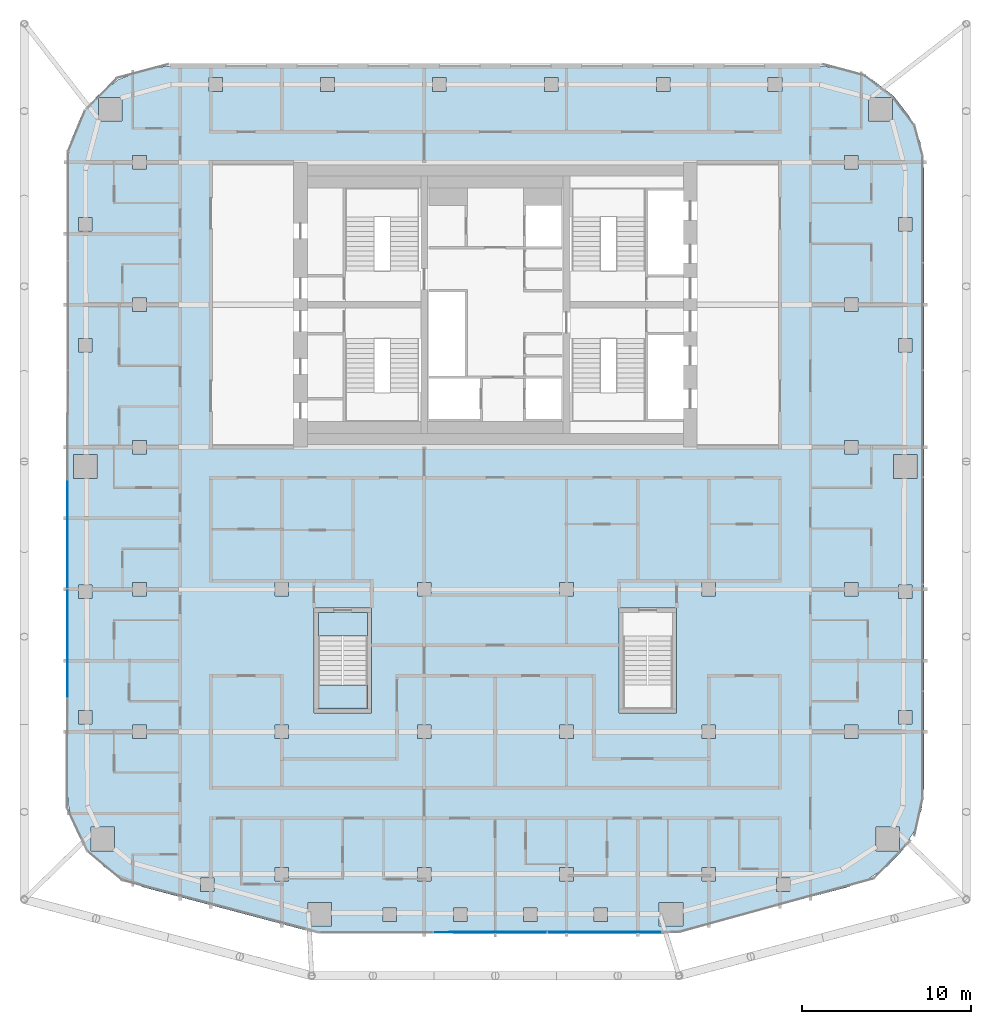
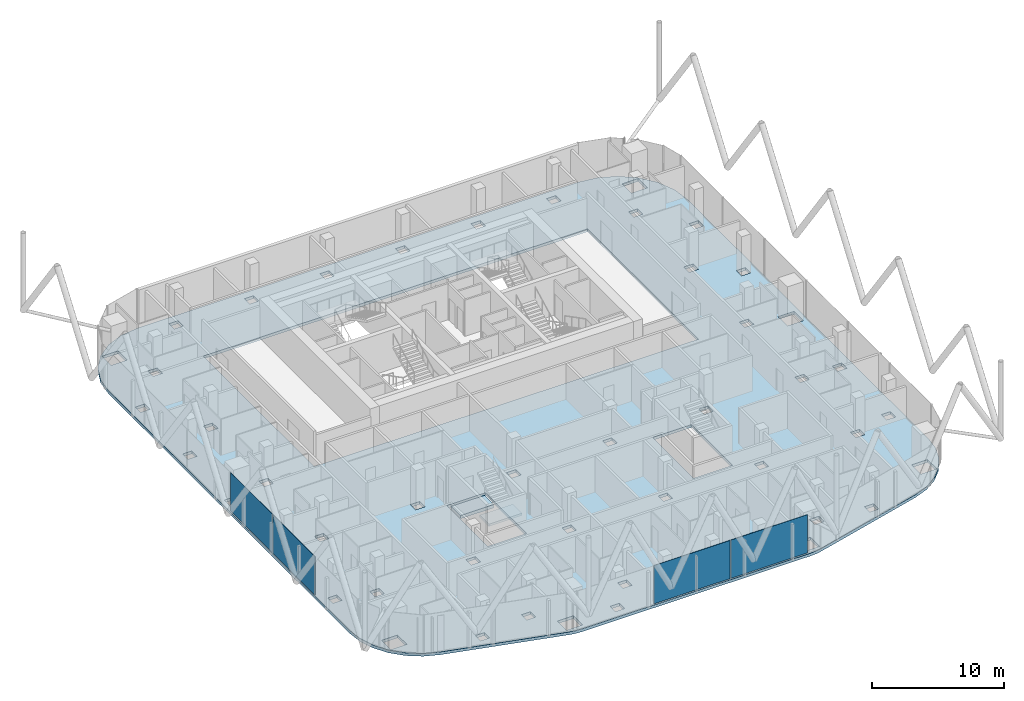
# One storey, part 15 of 28: 4 plates, 3 slabs, 3 elements without a shape of their own.
"""IFC4 building model written with IfcOpenShell, lengths in metres."""

from ifc_helpers import new_model, si_unit, direction, frame, origin, origin_2d, place, context, subcontext, project, spatial, polyline, rectangle, outline, extrude, material, layer, layer_set, type_object, element, aggregate, save


model = new_model("IFC4")

# Units and contexts
model_context = context("Model", 3, precision=1e-05, world=origin(), true_north=direction((0.0, 1.0)))
body_context = subcontext(model_context, "Body", "Model", "MODEL_VIEW")
ifc_project = project(units=[si_unit("LENGTHUNIT", "METRE"), si_unit("AREAUNIT", "SQUARE_METRE"), si_unit("VOLUMEUNIT", "CUBIC_METRE"), si_unit("PLANEANGLEUNIT", "RADIAN"), si_unit("MASSUNIT", "GRAM", prefix="KILO")], contexts=[model_context])

# Site, building, storey
site_placement = place(None, origin())
site = spatial("IfcSite", under=ifc_project, at=site_placement, CompositionType="ELEMENT")
building_placement = place(site_placement, origin())
building = spatial("IfcBuilding", under=site, at=building_placement, Name="Marenta Gate Hotel Tower", CompositionType="ELEMENT")
storey_placement = place(building_placement, frame((0.0, 0.0, 227.300048828125)))
storey = spatial("IfcBuildingStorey", under=building, at=storey_placement, Name="L53", CompositionType="ELEMENT", Elevation=227.300048828125)

# Slab
ifc_material_1 = material(Name="Concrete C35", Category="concrete")
ifc_layer_1 = layer(ifc_material_1, 0.260009765625)
ifc_layer_set_1 = layer_set([ifc_layer_1], Name="Concrete C35")
slab_type_1 = type_object("IfcSlabType", Name="Concrete floor slab 260", PredefinedType="FLOOR", material=ifc_layer_set_1)
slab_1_placement = place(storey_placement, frame((0.0, 0.0, -0.260009765625)))
element("IfcSlab", 1, at=slab_1_placement, inside=storey, type_object=slab_type_1, Name="L53-SL-1", PredefinedType="FLOOR", context=body_context, shape_type="SweptSolid", body=[
    extrude(outline(polyline([(-23.11376953125, -24.76416015625), (-24.035400390625, -23.803955078125), (-24.72705078125, -22.6669921875), (-25.155517578125, -21.4072265625), (-25.300048828125, -20.08984375), (-25.300048828125, 16.406494140625), (-25.093017578125, 17.97900390625), (-24.483642578125, 19.450439453125), (-23.513916015625, 20.7138671875), (-22.25048828125, 21.68359375), (-20.779052734375, 22.29296875), (-19.20654296875, 22.5), (19.20654296875, 22.5), (20.779052734375, 22.29296875), (22.25048828125, 21.68359375), (23.513916015625, 20.7138671875), (24.483642578125, 19.450439453125), (25.093017578125, 17.97900390625), (25.300048828125, 16.406494140625), (25.300048828125, -20.08984375), (25.155517578125, -21.4072265625), (24.72705078125, -22.6669921875), (24.035400390625, -23.803955078125), (23.11376953125, -24.76416015625), (22.005859375, -25.501220703125), (20.76953125, -25.978759765625), (11.026611328125, -28.563720703125), (10.508544921875, -28.665771484375), (9.981689453125, -28.699951171875), (-9.981689453125, -28.699951171875), (-10.508544921875, -28.665771484375), (-11.026611328125, -28.563720703125), (-20.76953125, -25.978759765625), (-22.005859375, -25.501220703125), (-23.11376953125, -24.76416015625)]), holes=[polyline([(-16.800048828125, 0.0), (16.800048828125, 0.0), (16.800048828125, 16.800048828125), (-16.800048828125, 16.800048828125), (-16.800048828125, 0.0)]), polyline([(-16.606689453125, -25.439208984375), (-17.40673828125, -25.439208984375), (-17.40673828125, -26.239013671875), (-16.606689453125, -26.239013671875), (-16.606689453125, -25.439208984375)]), polyline([(-12.199951171875, -25.60009765625), (-12.199951171875, -24.800048828125), (-13.0, -24.800048828125), (-13.0, -25.60009765625), (-12.199951171875, -25.60009765625)]), polyline([(-22.462890625, -23.8330078125), (-22.462890625, -22.43310546875), (-23.863037109375, -22.43310546875), (-23.863037109375, -23.8330078125), (-22.462890625, -23.8330078125)]), polyline([(-12.199951171875, -16.39990234375), (-13.0, -16.39990234375), (-13.0, -17.199951171875), (-12.199951171875, -17.199951171875), (-12.199951171875, -16.39990234375)]), polyline([(-20.60009765625, -17.199951171875), (-20.60009765625, -16.39990234375), (-21.39990234375, -16.39990234375), (-21.39990234375, -17.199951171875), (-20.60009765625, -17.199951171875)]), polyline([(-23.800048828125, -16.351806640625), (-23.800048828125, -15.552001953125), (-24.60009765625, -15.552001953125), (-24.60009765625, -16.351806640625), (-23.800048828125, -16.351806640625)]), polyline([(-23.800048828125, -8.15087890625), (-24.60009765625, -8.15087890625), (-24.60009765625, -8.950927734375), (-23.800048828125, -8.950927734375), (-23.800048828125, -8.15087890625)]), polyline([(-12.199951171875, -8.800048828125), (-12.199951171875, -8.0), (-13.0, -8.0), (-13.0, -8.800048828125), (-12.199951171875, -8.800048828125)]), polyline([(-20.60009765625, -8.800048828125), (-20.60009765625, -8.0), (-21.39990234375, -8.0), (-21.39990234375, -8.800048828125), (-20.60009765625, -8.800048828125)]), polyline([(-23.5, -0.449951171875), (-24.89990234375, -0.449951171875), (-24.89990234375, -1.85009765625), (-23.5, -1.85009765625), (-23.5, -0.449951171875)]), polyline([(-20.60009765625, -0.39990234375), (-20.60009765625, 0.39990234375), (-21.39990234375, 0.39990234375), (-21.39990234375, -0.39990234375), (-20.60009765625, -0.39990234375)]), polyline([(-23.800048828125, 5.603271484375), (-23.800048828125, 6.4033203125), (-24.60009765625, 6.4033203125), (-24.60009765625, 5.603271484375), (-23.800048828125, 5.603271484375)]), polyline([(-20.60009765625, 8.800048828125), (-21.39990234375, 8.800048828125), (-21.39990234375, 8.0), (-20.60009765625, 8.0), (-20.60009765625, 8.800048828125)]), polyline([(-23.800048828125, 12.75634765625), (-23.800048828125, 13.556396484375), (-24.60009765625, 13.556396484375), (-24.60009765625, 12.75634765625), (-23.800048828125, 12.75634765625)]), polyline([(-20.60009765625, 16.39990234375), (-20.60009765625, 17.199951171875), (-21.39990234375, 17.199951171875), (-21.39990234375, 16.39990234375), (-20.60009765625, 16.39990234375)]), polyline([(-22.035400390625, 20.635498046875), (-23.435546875, 20.635498046875), (-23.435546875, 19.235595703125), (-22.035400390625, 19.235595703125), (-22.035400390625, 20.635498046875)]), polyline([(-16.10693359375, 21.0), (-16.10693359375, 21.800048828125), (-16.906982421875, 21.800048828125), (-16.906982421875, 21.0), (-16.10693359375, 21.0)]), polyline([(-5.820068359375, -28.0), (-5.820068359375, -27.199951171875), (-6.6201171875, -27.199951171875), (-6.6201171875, -28.0), (-5.820068359375, -28.0)]), polyline([(6.6201171875, -27.199951171875), (5.820068359375, -27.199951171875), (5.820068359375, -28.0), (6.6201171875, -28.0), (6.6201171875, -27.199951171875)]), polyline([(2.473388671875, -28.0), (2.473388671875, -27.199951171875), (1.67333984375, -27.199951171875), (1.67333984375, -28.0), (2.473388671875, -28.0)]), polyline([(-1.67333984375, -28.0), (-1.67333984375, -27.199951171875), (-2.473388671875, -27.199951171875), (-2.473388671875, -28.0), (-1.67333984375, -28.0)]), polyline([(-9.666259765625, -28.27490234375), (-9.666259765625, -26.874755859375), (-11.06640625, -26.874755859375), (-11.06640625, -28.27490234375), (-9.666259765625, -28.27490234375)]), polyline([(11.06640625, -28.27490234375), (11.06640625, -26.874755859375), (9.666259765625, -26.874755859375), (9.666259765625, -28.27490234375), (11.06640625, -28.27490234375)]), polyline([(13.0, -25.60009765625), (13.0, -24.800048828125), (12.199951171875, -24.800048828125), (12.199951171875, -25.60009765625), (13.0, -25.60009765625)]), polyline([(4.60009765625, -25.60009765625), (4.60009765625, -24.800048828125), (3.800048828125, -24.800048828125), (3.800048828125, -25.60009765625), (4.60009765625, -25.60009765625)]), polyline([(-3.800048828125, -24.800048828125), (-4.60009765625, -24.800048828125), (-4.60009765625, -25.60009765625), (-3.800048828125, -25.60009765625), (-3.800048828125, -24.800048828125)]), polyline([(4.60009765625, -17.199951171875), (4.60009765625, -16.39990234375), (3.800048828125, -16.39990234375), (3.800048828125, -17.199951171875), (4.60009765625, -17.199951171875)]), polyline([(-3.800048828125, -17.199951171875), (-3.800048828125, -16.39990234375), (-4.60009765625, -16.39990234375), (-4.60009765625, -17.199951171875), (-3.800048828125, -17.199951171875)]), polyline([(4.60009765625, -8.0), (3.800048828125, -8.0), (3.800048828125, -8.800048828125), (4.60009765625, -8.800048828125), (4.60009765625, -8.0)]), polyline([(-3.800048828125, -8.800048828125), (-3.800048828125, -8.0), (-4.60009765625, -8.0), (-4.60009765625, -8.800048828125), (-3.800048828125, -8.800048828125)]), polyline([(-2.9013671875, 21.0), (-2.9013671875, 21.800048828125), (-3.701416015625, 21.800048828125), (-3.701416015625, 21.0), (-2.9013671875, 21.0)]), polyline([(3.701416015625, 21.800048828125), (2.9013671875, 21.800048828125), (2.9013671875, 21.0), (3.701416015625, 21.0), (3.701416015625, 21.800048828125)]), polyline([(10.30419921875, 21.0), (10.30419921875, 21.800048828125), (9.504150390625, 21.800048828125), (9.504150390625, 21.0), (10.30419921875, 21.0)]), polyline([(-9.504150390625, 21.0), (-9.504150390625, 21.800048828125), (-10.30419921875, 21.800048828125), (-10.30419921875, 21.0), (-9.504150390625, 21.0)]), polyline([(17.40673828125, -25.439208984375), (16.606689453125, -25.439208984375), (16.606689453125, -26.239013671875), (17.40673828125, -26.239013671875), (17.40673828125, -25.439208984375)]), polyline([(23.863037109375, -23.8330078125), (23.863037109375, -22.43310546875), (22.462890625, -22.43310546875), (22.462890625, -23.8330078125), (23.863037109375, -23.8330078125)]), polyline([(13.0, -17.199951171875), (13.0, -16.39990234375), (12.199951171875, -16.39990234375), (12.199951171875, -17.199951171875), (13.0, -17.199951171875)]), polyline([(21.39990234375, -16.39990234375), (20.60009765625, -16.39990234375), (20.60009765625, -17.199951171875), (21.39990234375, -17.199951171875), (21.39990234375, -16.39990234375)]), polyline([(24.60009765625, -16.351806640625), (24.60009765625, -15.552001953125), (23.800048828125, -15.552001953125), (23.800048828125, -16.351806640625), (24.60009765625, -16.351806640625)]), polyline([(24.60009765625, -8.950927734375), (24.60009765625, -8.15087890625), (23.800048828125, -8.15087890625), (23.800048828125, -8.950927734375), (24.60009765625, -8.950927734375)]), polyline([(13.0, -8.0), (12.199951171875, -8.0), (12.199951171875, -8.800048828125), (13.0, -8.800048828125), (13.0, -8.0)]), polyline([(21.39990234375, -8.800048828125), (21.39990234375, -8.0), (20.60009765625, -8.0), (20.60009765625, -8.800048828125), (21.39990234375, -8.800048828125)]), polyline([(24.89990234375, -1.85009765625), (24.89990234375, -0.449951171875), (23.5, -0.449951171875), (23.5, -1.85009765625), (24.89990234375, -1.85009765625)]), polyline([(21.39990234375, 0.39990234375), (20.60009765625, 0.39990234375), (20.60009765625, -0.39990234375), (21.39990234375, -0.39990234375), (21.39990234375, 0.39990234375)]), polyline([(24.60009765625, 5.603271484375), (24.60009765625, 6.4033203125), (23.800048828125, 6.4033203125), (23.800048828125, 5.603271484375), (24.60009765625, 5.603271484375)]), polyline([(21.39990234375, 8.0), (21.39990234375, 8.800048828125), (20.60009765625, 8.800048828125), (20.60009765625, 8.0), (21.39990234375, 8.0)]), polyline([(24.60009765625, 12.75634765625), (24.60009765625, 13.556396484375), (23.800048828125, 13.556396484375), (23.800048828125, 12.75634765625), (24.60009765625, 12.75634765625)]), polyline([(21.39990234375, 16.39990234375), (21.39990234375, 17.199951171875), (20.60009765625, 17.199951171875), (20.60009765625, 16.39990234375), (21.39990234375, 16.39990234375)]), polyline([(23.435546875, 19.235595703125), (23.435546875, 20.635498046875), (22.035400390625, 20.635498046875), (22.035400390625, 19.235595703125), (23.435546875, 19.235595703125)]), polyline([(16.906982421875, 21.0), (16.906982421875, 21.800048828125), (16.10693359375, 21.800048828125), (16.10693359375, 21.0), (16.906982421875, 21.0)]), polyline([(-7.300048828125, -15.699951171875), (-7.300048828125, -9.5), (-10.699951171875, -9.5), (-10.699951171875, -15.699951171875), (-7.300048828125, -15.699951171875)]), polyline([(10.699951171875, -15.699951171875), (10.699951171875, -9.5), (7.300048828125, -9.5), (7.300048828125, -15.699951171875), (10.699951171875, -15.699951171875)])]), origin(), (0.0, 0.0, 1.0), 0.260009765625),
])

# Curtain wall, plates
ifc_material_2 = material(Name="Tinted insulated glass in bronze anodised frame", Category="glass")
ifc_layer_2 = layer(ifc_material_2, 0.1201171875)
ifc_layer_set_2 = layer_set([ifc_layer_2], Name="Tinted insulated glass in bronze anodised frame")
curtain_wall_type = type_object("IfcCurtainWallType", Name="Tower unitised curtain wall CW1", PredefinedType="NOTDEFINED", material=ifc_layer_set_2)
curtain_wall_1_placement = place(storey_placement, origin())
curtain_wall_1 = element("IfcCurtainWall", 2, at=curtain_wall_1_placement, inside=storey, type_object=curtain_wall_type, Name="CW1 run G04", PredefinedType="NOTDEFINED")
ifc_material_3 = material(Name="Tinted insulated glass", Category="glass")
ifc_layer_3 = layer(ifc_material_3, 0.028076171875)
ifc_layer_set_3 = layer_set([ifc_layer_3], Name="Tinted insulated glass")
plate_type = type_object("IfcPlateType", Name="Glass panel CW1 28 mm tinted insulated unit", PredefinedType="CURTAIN_PANEL", material=ifc_layer_set_3)
plate_1_placement = place(storey_placement, frame((-25.247802734375, -5.143798828125, 0.059814453125), z_axis=(0.0, 0.0, 1.0), x_axis=(-0.001566045546, -0.99999877375, 0.0)))
plate_1 = element("IfcPlate", 3, at=plate_1_placement, type_object=plate_type, Name="CW1 panel 4.1", PredefinedType="CURTAIN_PANEL", context=body_context, shape_type="SweptSolid", body=[
    extrude(rectangle(XDim=6.39990234375, YDim=0.028076171875, at=origin_2d()), origin(), (0.0, 0.0, 1.0), 3.5400390625),
])
plate_2_placement = place(storey_placement, frame((-25.2578125, -11.603759765625, 0.059814453125), z_axis=(0.0, 0.0, 1.0), x_axis=(-0.001566045546, -0.99999877375, 0.0)))
plate_2 = element("IfcPlate", 4, at=plate_2_placement, type_object=plate_type, Name="CW1 panel 5.1", PredefinedType="CURTAIN_PANEL", context=body_context, shape_type="SweptSolid", body=[
    extrude(rectangle(XDim=6.39990234375, YDim=0.028076171875, at=origin_2d()), origin(), (0.0, 0.0, 1.0), 3.5400390625),
])
aggregate(curtain_wall_1, [plate_1, plate_2])

curtain_wall_2_placement = place(storey_placement, origin())
curtain_wall_2 = element("IfcCurtainWall", 5, at=curtain_wall_2_placement, inside=storey, type_object=curtain_wall_type, Name="CW1 run G12", PredefinedType="NOTDEFINED")
plate_3_placement = place(storey_placement, frame((-0.3056640625, -28.630859375, 0.059814453125), z_axis=(0.0, 0.0, 1.0), x_axis=(0.999998649471, 0.001643488917, 0.0)))
plate_3 = element("IfcPlate", 6, at=plate_3_placement, type_object=plate_type, Name="CW1 panel 2.1", PredefinedType="CURTAIN_PANEL", context=body_context, shape_type="SweptSolid", body=[
    extrude(rectangle(XDim=6.673583984375, YDim=0.028076171875, at=origin_2d()), origin(), (0.0, 0.0, 1.0), 3.5400390625),
])
plate_4_placement = place(storey_placement, frame((6.443115234375, -28.619873046875, 0.059814453125), z_axis=(0.0, 0.0, 1.0), x_axis=(0.999998649471, 0.001643488917, 0.0)))
plate_4 = element("IfcPlate", 7, at=plate_4_placement, type_object=plate_type, Name="CW1 panel 3.1", PredefinedType="CURTAIN_PANEL", context=body_context, shape_type="SweptSolid", body=[
    extrude(rectangle(XDim=6.70361328125, YDim=0.028076171875, at=origin_2d()), origin(), (0.0, 0.0, 1.0), 3.5400390625),
])
aggregate(curtain_wall_2, [plate_3, plate_4])

# Stair, slab
ifc_material_4 = material(Name="Concrete C40", Category="concrete")
stair_type = type_object("IfcStairType", Name="Remote exit stair 1400 wide", PredefinedType="HALF_TURN_STAIR", material=ifc_material_4)
stair_placement = place(storey_placement, origin())
stair = element("IfcStair", 8, at=stair_placement, inside=storey, type_object=stair_type, Name="Exit stair RS-Z3-1", PredefinedType="HALF_TURN_STAIR")
ifc_material_5 = material(Name="Concrete C40", Category="concrete")
ifc_layer_4 = layer(ifc_material_5, 0.199951171875)
ifc_layer_set_4 = layer_set([ifc_layer_4], Name="Concrete C40")
slab_type_2 = type_object("IfcSlabType", Name="Remote stair landing 200", PredefinedType="LANDING", material=ifc_layer_set_4)
slab_2_placement = place(storey_placement, frame((0.0, 0.0, 1.599853515625)))
slab_2 = element("IfcSlab", 9, at=slab_2_placement, type_object=slab_type_2, Name="RL-200 RS-Z3-1 landing 1", PredefinedType="LANDING", context=body_context, shape_type="SweptSolid", body=[
    extrude(outline(polyline([(-10.449951171875, -15.449951171875), (-7.550048828125, -15.449951171875), (-7.550048828125, -14.050048828125), (-10.449951171875, -14.050048828125), (-10.449951171875, -15.449951171875)])), origin(), (0.0, 0.0, 1.0), 0.2001953125),
])
aggregate(stair, [slab_2])

# Slab
ifc_material_6 = material(Name="Concrete C40", Category="concrete")
ifc_layer_5 = layer(ifc_material_6, 0.300048828125)
ifc_layer_set_5 = layer_set([ifc_layer_5], Name="Concrete C40")
slab_type_3 = type_object("IfcSlabType", Name="Stair floor landing slab 300", PredefinedType="FLOOR", material=ifc_layer_set_5)
slab_3_placement = place(storey_placement, frame((0.0, 0.0, -0.300048828125)))
element("IfcSlab", 10, at=slab_3_placement, inside=storey, type_object=slab_type_3, Name="L53-RS-Z3-1-CL", PredefinedType="FLOOR", context=body_context, shape_type="SweptSolid", body=[
    extrude(outline(polyline([(-7.550048828125, -11.14990234375), (-7.550048828125, -9.75), (-10.449951171875, -9.75), (-10.449951171875, -11.14990234375), (-7.550048828125, -11.14990234375)])), origin(), (0.0, 0.0, 1.0), 0.300048828125),
])

save(model, "model.ifc")
